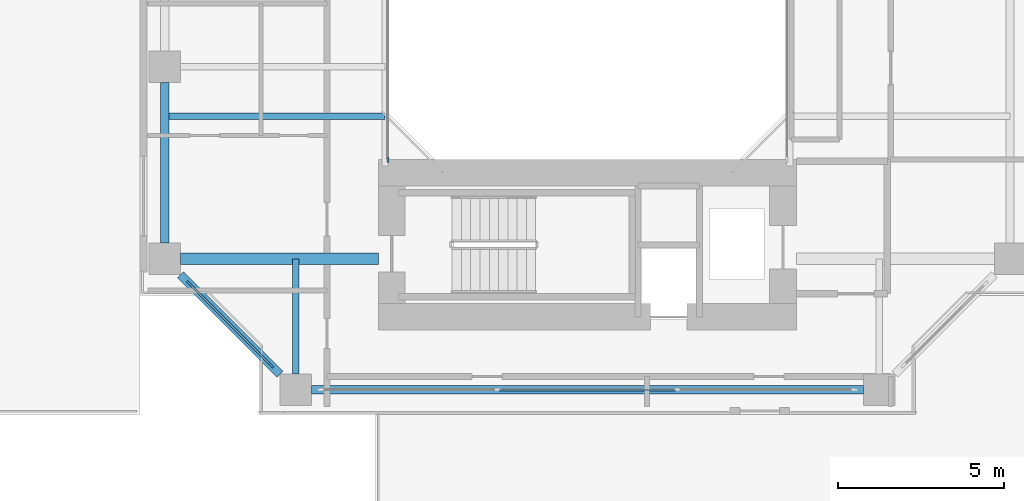
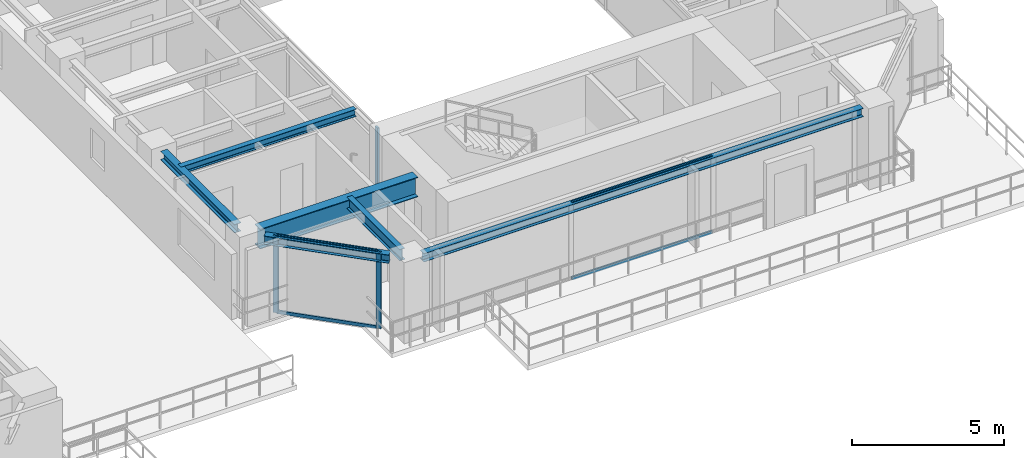
# One storey, part 5 of 22: 7 members, 6 beams, 3 elements without a shape of their own.
"""IFC4 building model written with IfcOpenShell, lengths in metres."""

from ifc_helpers import new_model, si_unit, direction, frame, origin, origin_2d, place, context, subcontext, project, spatial, rectangle, i_section, extrude, source, transform, mapped, material, layer, layer_set, material_profile, profile_set, type_object, element, aggregate, save


model = new_model("IFC4")

# Units and contexts
model_context = context("Model", 3, precision=1e-05, world=origin(), true_north=direction((0.0, 1.0)))
body_context = subcontext(model_context, "Body", "Model", "MODEL_VIEW")
ifc_project = project(units=[si_unit("LENGTHUNIT", "METRE"), si_unit("AREAUNIT", "SQUARE_METRE"), si_unit("VOLUMEUNIT", "CUBIC_METRE"), si_unit("PLANEANGLEUNIT", "RADIAN"), si_unit("MASSUNIT", "GRAM", prefix="KILO"), si_unit("THERMODYNAMICTEMPERATUREUNIT", "KELVIN"), si_unit("POWERUNIT", "WATT")], contexts=[model_context])

# Site, building, storey
site_placement = place(None, origin())
site = spatial("IfcSite", under=ifc_project, at=site_placement, CompositionType="ELEMENT")
building_placement = place(site_placement, origin())
building = spatial("IfcBuilding", under=site, at=building_placement, Name="Qiaomeng Ring Towers", CompositionType="ELEMENT")
storey_placement = place(building_placement, frame((0.0, 0.0, 23.0)))
storey = spatial("IfcBuildingStorey", under=building, at=storey_placement, Name="L05", CompositionType="ELEMENT", Elevation=23.0)

# Beams
ifc_material_1 = material(Name="Steel Q355B", Category="steel")
ifc_material_profile_1 = material_profile(ifc_material_1, i_section(OverallWidth=0.25, OverallDepth=0.340087890625, WebThickness=0.009033203125, FlangeThickness=0.013916015625, FilletRadius=0.02001953125, at=origin_2d()), Name="HM 340x250x9x14")
ifc_profile_set_1 = profile_set([ifc_material_profile_1], Name="Steel Q355B")
beam_type_1 = type_object("IfcBeamType", Name="STR-BM-HM340", PredefinedType="SPANDREL", material=ifc_profile_set_1)
shared_shape_1 = source(origin(), body_context, "Body", "SweptSolid", [
    extrude(i_section(OverallWidth=0.25, OverallDepth=0.340087890625, WebThickness=0.009033203125, FlangeThickness=0.013916015625, FilletRadius=0.02001953125, at=origin_2d()), origin(), (0.0, 0.0, 1.0), 16.65185546875),
])
beam_1_placement = place(storey_placement, frame((52.174072265625, 10.25, 2.89990234375), z_axis=(1.0, 0.0, 0.0), x_axis=(0.0, 1.0, 0.0)))
element("IfcBeam", 1, at=beam_1_placement, inside=storey, type_object=beam_type_1, Name="L05 beam STR-SP-L05-T2-S1-S2", PredefinedType="SPANDREL", context=body_context, shape_type="MappedRepresentation", body=[
    mapped(shared_shape_1, transform((0.0, 0.0, 0.0), x_axis=(1.0, 0.0, 0.0), y_axis=(0.0, 1.0, 0.0), z_axis=(0.0, 0.0, 1.0), scale=1.0)),
])
shared_shape_2 = source(origin(), body_context, "Body", "SweptSolid", [
    extrude(i_section(OverallWidth=0.25, OverallDepth=0.340087890625, WebThickness=0.009033203125, FlangeThickness=0.013916015625, FilletRadius=0.02001953125, at=origin_2d()), origin(), (0.0, 0.0, 1.0), 4.244384765625),
])
beam_2_placement = place(storey_placement, frame((48.224365234375, 13.7255859375, 2.89990234375), z_axis=(0.707106781187, -0.707106781187, 0.0), x_axis=(0.707106781187, 0.707106781187, 0.0)))
element("IfcBeam", 2, at=beam_2_placement, inside=storey, type_object=beam_type_1, Name="L05 beam STR-SP-L05-T2-W1-S1", PredefinedType="SPANDREL", context=body_context, shape_type="MappedRepresentation", body=[
    mapped(shared_shape_2, transform((0.0, 0.0, 0.0), x_axis=(1.0, 0.0, 0.0), y_axis=(0.0, 1.0, 0.0), z_axis=(0.0, 0.0, 1.0), scale=1.0)),
])
shared_shape_3 = source(origin(), body_context, "Body", "SweptSolid", [
    extrude(i_section(OverallWidth=0.25, OverallDepth=0.340087890625, WebThickness=0.009033203125, FlangeThickness=0.013916015625, FilletRadius=0.02001953125, at=origin_2d()), origin(), (0.0, 0.0, 1.0), 4.851806640625),
])
beam_3_placement = place(storey_placement, frame((47.75, 19.52587890625, 2.89990234375), z_axis=(0.0, -1.0, 0.0), x_axis=(1.0, 0.0, 0.0)))
element("IfcBeam", 3, at=beam_3_placement, inside=storey, type_object=beam_type_1, Name="L05 beam STR-SP-L05-T2-W2-W1", PredefinedType="SPANDREL", context=body_context, shape_type="MappedRepresentation", body=[
    mapped(shared_shape_3, transform((0.0, 0.0, 0.0), x_axis=(1.0, 0.0, 0.0), y_axis=(0.0, 1.0, 0.0), z_axis=(0.0, 0.0, 1.0), scale=1.0)),
])
ifc_material_2 = material(Name="Steel Q390GJC", Category="steel")
ifc_material_profile_2 = material_profile(ifc_material_2, i_section(OverallWidth=0.35009765625, OverallDepth=0.800048828125, WebThickness=0.01611328125, FlangeThickness=0.028076171875, at=origin_2d()), Name="WH 800x350x16x28")
ifc_profile_set_2 = profile_set([ifc_material_profile_2], Name="Steel Q390GJC")
beam_type_2 = type_object("IfcBeamType", Name="STR-BM-WH800", PredefinedType="BEAM", material=ifc_profile_set_2)
shared_shape_4 = source(origin(), body_context, "Body", "SweptSolid", [
    extrude(i_section(OverallWidth=0.35009765625, OverallDepth=0.800048828125, WebThickness=0.01611328125, FlangeThickness=0.028076171875, at=origin_2d()), origin(), (0.0, 0.0, 1.0), 5.975830078125),
])
beam_4_placement = place(storey_placement, frame((48.22412109375, 14.199951171875, 2.669921875), z_axis=(1.0, 0.0, 0.0), x_axis=(0.0, 1.0, 0.0)))
element("IfcBeam", 4, at=beam_4_placement, inside=storey, type_object=beam_type_2, Name="L05 beam STR-BM-L05-T2-RAD-W1", PredefinedType="BEAM", context=body_context, shape_type="MappedRepresentation", body=[
    mapped(shared_shape_4, transform((0.0, 0.0, 0.0), x_axis=(1.0, 0.0, 0.0), y_axis=(0.0, 1.0, 0.0), z_axis=(0.0, 0.0, 1.0), scale=1.0)),
])
ifc_material_profile_3 = material_profile(ifc_material_1, i_section(OverallWidth=0.199951171875, OverallDepth=0.449951171875, WebThickness=0.009033203125, FlangeThickness=0.013916015625, FilletRadius=0.01806640625, at=origin_2d()), Name="HN 450x200x9x14")
ifc_profile_set_3 = profile_set([ifc_material_profile_3], Name="Steel Q355B")
beam_type_3 = type_object("IfcBeamType", Name="STR-BM-HN450", PredefinedType="SPANDREL", material=ifc_profile_set_3)
shared_shape_5 = source(origin(), body_context, "Body", "SweptSolid", [
    extrude(i_section(OverallWidth=0.199951171875, OverallDepth=0.449951171875, WebThickness=0.009033203125, FlangeThickness=0.013916015625, FilletRadius=0.01806640625, at=origin_2d()), origin(), (0.0, 0.0, 1.0), 3.475830078125),
])
beam_5_placement = place(storey_placement, frame((51.699951171875, 10.72412109375, 2.844970703125), z_axis=(0.0, 1.0, 0.0), x_axis=(-1.0, 0.0, 0.0)))
element("IfcBeam", 5, at=beam_5_placement, inside=storey, type_object=beam_type_3, Name="L05 beam STR-BM-L05-T2-RAD-S1", PredefinedType="SPANDREL", context=body_context, shape_type="MappedRepresentation", body=[
    mapped(shared_shape_5, transform((0.0, 0.0, 0.0), x_axis=(1.0, 0.0, 0.0), y_axis=(0.0, 1.0, 0.0), z_axis=(0.0, 0.0, 1.0), scale=1.0)),
])
ifc_material_profile_4 = material_profile(ifc_material_1, i_section(OverallWidth=0.199951171875, OverallDepth=0.2939453125, WebThickness=0.008056640625, FlangeThickness=0.011962890625, FilletRadius=0.01806640625, at=origin_2d()), Name="HM 294x200x8x12")
ifc_profile_set_4 = profile_set([ifc_material_profile_4], Name="Steel Q355B")
beam_type_4 = type_object("IfcBeamType", Name="STR-BM-HM294", PredefinedType="JOIST", material=ifc_profile_set_4)
shared_shape_6 = source(origin(), body_context, "Body", "SweptSolid", [
    extrude(i_section(OverallWidth=0.199951171875, OverallDepth=0.2939453125, WebThickness=0.008056640625, FlangeThickness=0.011962890625, FilletRadius=0.01806640625, at=origin_2d()), origin(), (0.0, 0.0, 1.0), 6.64990234375),
])
beam_6_placement = place(storey_placement, frame((47.75, 18.5, 2.923095703125), z_axis=(1.0, 0.0, 0.0), x_axis=(0.0, 1.0, 0.0)))
element("IfcBeam", 6, at=beam_6_placement, inside=storey, type_object=beam_type_4, Name="L05 beam STR-JST-L05-T2W-1", PredefinedType="JOIST", context=body_context, shape_type="MappedRepresentation", body=[
    mapped(shared_shape_6, transform((0.0, 0.0, 0.0), x_axis=(1.0, 0.0, 0.0), y_axis=(0.0, 1.0, 0.0), z_axis=(0.0, 0.0, 1.0), scale=1.0)),
])

# Curtain wall, member
ifc_material_3 = material(Name="Fluorocarbon dark-grey aluminium", Category="aluminium")
ifc_layer_1 = layer(ifc_material_3, 0.139892578125, Name="Fluorocarbon dark-grey aluminium")
ifc_layer_set_1 = layer_set([ifc_layer_1], Name="Fluorocarbon dark-grey aluminium")
curtain_wall_type_1 = type_object("IfcCurtainWallType", Name="ARC-CW-4", PredefinedType="NOTDEFINED", material=ifc_layer_set_1)
curtain_wall_1_placement = place(storey_placement, origin())
curtain_wall_1 = element("IfcCurtainWall", 7, at=curtain_wall_1_placement, inside=storey, type_object=curtain_wall_type_1, Name="L05 Curtain Wall CW4", PredefinedType="NOTDEFINED")
ifc_material_profile_5 = material_profile(ifc_material_3, rectangle(XDim=0.06494140625, YDim=0.159912109375, at=origin_2d()), Name="ALU MULL 65x160")
ifc_profile_set_5 = profile_set([ifc_material_profile_5], Name="Fluorocarbon dark-grey aluminium")
member_type_1 = type_object("IfcMemberType", Name="ARC-CWM-140", PredefinedType="MULLION", material=ifc_profile_set_5)
shared_shape_7 = source(origin(), body_context, "Body", "SweptSolid", [
    extrude(rectangle(XDim=0.06494140625, YDim=0.159912109375, at=origin_2d()), origin(), (0.0, 0.0, 1.0), 3.070068359375),
])
member_1_placement = place(storey_placement, frame((54.47998046875, 17.1826171875, 0.0), z_axis=(0.0, 0.0, 1.0), x_axis=(-1.0, 0.0, 0.0)))
member_1 = element("IfcMember", 8, at=member_1_placement, type_object=member_type_1, Name="CW4 mullion 1", PredefinedType="MULLION", context=body_context, shape_type="MappedRepresentation", body=[
    mapped(shared_shape_7, transform((0.0, 0.0, 0.0), x_axis=(1.0, 0.0, 0.0), y_axis=(0.0, 1.0, 0.0), z_axis=(0.0, 0.0, 1.0), scale=1.0)),
])
aggregate(curtain_wall_1, [member_1])

# Curtain wall, members
ifc_layer_2 = layer(ifc_material_3, 0.14990234375, Name="Fluorocarbon dark-grey aluminium")
ifc_layer_set_2 = layer_set([ifc_layer_2], Name="Fluorocarbon dark-grey aluminium")
curtain_wall_type_2 = type_object("IfcCurtainWallType", Name="ARC-CW-5", PredefinedType="NOTDEFINED", material=ifc_layer_set_2)
curtain_wall_2_placement = place(storey_placement, origin())
curtain_wall_2 = element("IfcCurtainWall", 9, at=curtain_wall_2_placement, inside=storey, type_object=curtain_wall_type_2, Name="L05 Curtain Wall CW5", PredefinedType="NOTDEFINED")
ifc_material_profile_6 = material_profile(ifc_material_3, rectangle(XDim=0.070068359375, YDim=0.179931640625, at=origin_2d()), Name="ALU MULL 70x180")
ifc_profile_set_6 = profile_set([ifc_material_profile_6], Name="Fluorocarbon dark-grey aluminium")
member_type_2 = type_object("IfcMemberType", Name="ARC-CWM-160", PredefinedType="MULLION", material=ifc_profile_set_6)
shared_shape_8 = source(origin(), body_context, "Body", "SweptSolid", [
    extrude(rectangle(XDim=0.070068359375, YDim=0.179931640625, at=origin_2d()), origin(), (0.0, 0.0, 1.0), 3.070068359375),
])
member_2_placement = place(storey_placement, frame((48.48974609375, 13.460205078125, 0.0), z_axis=(0.0, 0.0, 1.0), x_axis=(0.707106781187, 0.707106781187, 0.0)))
member_2 = element("IfcMember", 10, at=member_2_placement, type_object=member_type_2, Name="CW5 mullion 1", PredefinedType="MULLION", context=body_context, shape_type="MappedRepresentation", body=[
    mapped(shared_shape_8, transform((0.0, 0.0, 0.0), x_axis=(1.0, 0.0, 0.0), y_axis=(0.0, 1.0, 0.0), z_axis=(0.0, 0.0, 1.0), scale=1.0)),
])
member_3_placement = place(storey_placement, frame((50.960205078125, 10.98974609375, 0.0), z_axis=(0.0, 0.0, 1.0), x_axis=(0.707106781187, 0.707106781187, 0.0)))
member_3 = element("IfcMember", 11, at=member_3_placement, type_object=member_type_2, Name="CW5 mullion 2", PredefinedType="MULLION", context=body_context, shape_type="MappedRepresentation", body=[
    mapped(shared_shape_8, transform((0.0, 0.0, 0.0), x_axis=(1.0, 0.0, 0.0), y_axis=(0.0, 1.0, 0.0), z_axis=(0.0, 0.0, 1.0), scale=1.0)),
])

curtain_wall_3_placement = place(storey_placement, origin())
curtain_wall_3 = element("IfcCurtainWall", 12, at=curtain_wall_3_placement, inside=storey, type_object=curtain_wall_type_2, Name="L05 Curtain Wall CW5", PredefinedType="NOTDEFINED")
ifc_material_profile_7 = material_profile(ifc_material_3, rectangle(XDim=0.06494140625, YDim=0.1298828125, at=origin_2d()), Name="ALU TRAN 65x130")
ifc_profile_set_7 = profile_set([ifc_material_profile_7], Name="Fluorocarbon dark-grey aluminium")
member_type_3 = type_object("IfcMemberType", Name="ARC-CWT-120", PredefinedType="USERDEFINED", material=ifc_profile_set_7)
shared_shape_9 = source(origin(), body_context, "Body", "SweptSolid", [
    extrude(rectangle(XDim=0.06494140625, YDim=0.1298828125, at=origin_2d()), origin(), (0.0, 0.0, 1.0), 5.31982421875),
])
member_4_placement = place(storey_placement, frame((57.840087890625, 10.25, 0.032470703125), z_axis=(1.0, 0.0, 0.0), x_axis=(0.0, 1.0, 0.0)))
member_4 = element("IfcMember", 13, at=member_4_placement, type_object=member_type_3, Name="CW5 transom 2.1", ObjectType="TRANSOM", PredefinedType="USERDEFINED", context=body_context, shape_type="MappedRepresentation", body=[
    mapped(shared_shape_9, transform((0.0, 0.0, 0.0), x_axis=(1.0, 0.0, 0.0), y_axis=(0.0, 1.0, 0.0), z_axis=(0.0, 0.0, 1.0), scale=1.0)),
])
member_5_placement = place(storey_placement, frame((57.840087890625, 10.25, 3.03759765625), z_axis=(1.0, 0.0, 0.0), x_axis=(0.0, 1.0, 0.0)))
member_5 = element("IfcMember", 14, at=member_5_placement, type_object=member_type_3, Name="CW5 transom 2.2", ObjectType="TRANSOM", PredefinedType="USERDEFINED", context=body_context, shape_type="MappedRepresentation", body=[
    mapped(shared_shape_9, transform((0.0, 0.0, 0.0), x_axis=(1.0, 0.0, 0.0), y_axis=(0.0, 1.0, 0.0), z_axis=(0.0, 0.0, 1.0), scale=1.0)),
])
aggregate(curtain_wall_3, [member_4, member_5])

# Member
shared_shape_10 = source(origin(), body_context, "Body", "SweptSolid", [
    extrude(rectangle(XDim=0.06494140625, YDim=0.1298828125, at=origin_2d()), origin(), (0.0, 0.0, 1.0), 3.424072265625),
])
member_6_placement = place(storey_placement, frame((48.514404296875, 13.435546875, 0.032470703125), z_axis=(0.707106781187, -0.707106781187, 0.0), x_axis=(0.707106781187, 0.707106781187, 0.0)))
member_6 = element("IfcMember", 15, at=member_6_placement, type_object=member_type_3, Name="CW5 transom 1.1", ObjectType="TRANSOM", PredefinedType="USERDEFINED", context=body_context, shape_type="MappedRepresentation", body=[
    mapped(shared_shape_10, transform((0.0, 0.0, 0.0), x_axis=(1.0, 0.0, 0.0), y_axis=(0.0, 1.0, 0.0), z_axis=(0.0, 0.0, 1.0), scale=1.0)),
])

member_7_placement = place(storey_placement, frame((48.514404296875, 13.435546875, 3.03759765625), z_axis=(0.707106781187, -0.707106781187, 0.0), x_axis=(0.707106781187, 0.707106781187, 0.0)))
member_7 = element("IfcMember", 16, at=member_7_placement, type_object=member_type_3, Name="CW5 transom 1.2", ObjectType="TRANSOM", PredefinedType="USERDEFINED", context=body_context, shape_type="MappedRepresentation", body=[
    mapped(shared_shape_10, transform((0.0, 0.0, 0.0), x_axis=(1.0, 0.0, 0.0), y_axis=(0.0, 1.0, 0.0), z_axis=(0.0, 0.0, 1.0), scale=1.0)),
])

aggregate(curtain_wall_2, [member_2, member_3, member_6, member_7])

save(model, "model.ifc")
